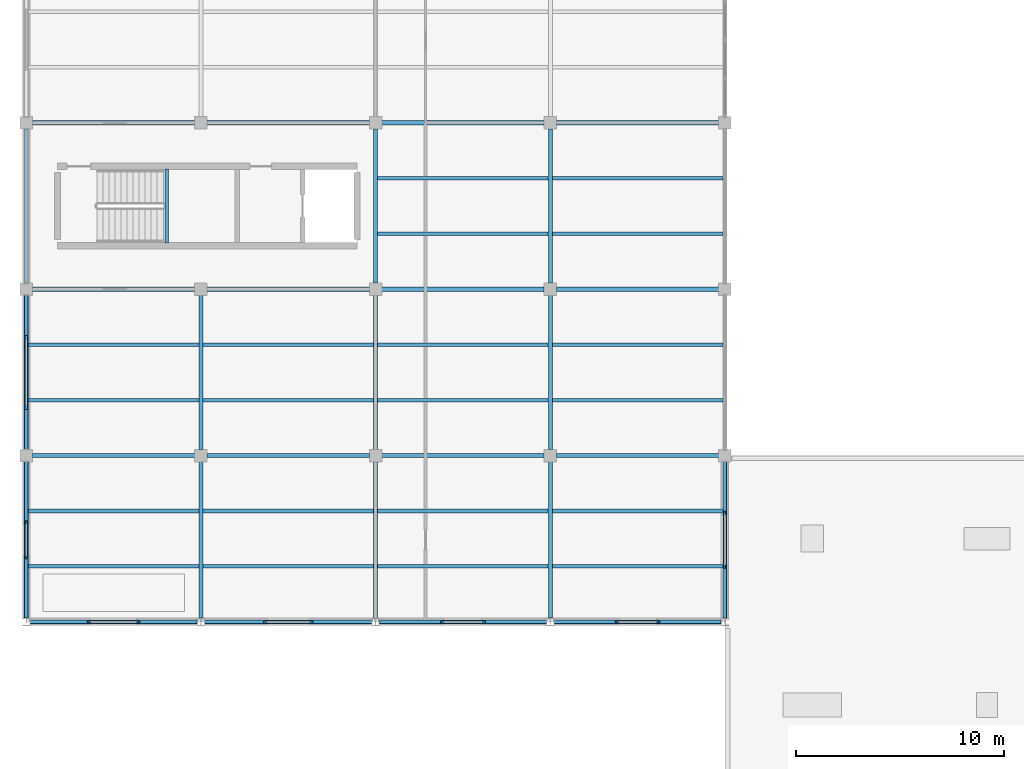
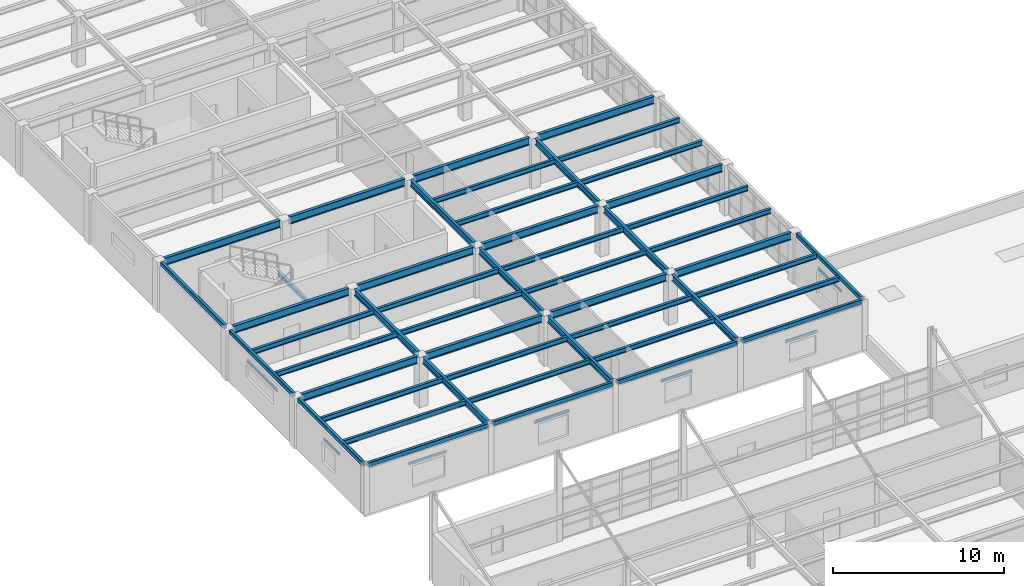
# One storey, part 17 of 96: 56 beams.
"""IFC4 building model written with IfcOpenShell, lengths in metres."""

from ifc_helpers import new_model, si_unit, direction, frame, origin, origin_2d, place, context, subcontext, project, spatial, hollow_rectangle, i_section, u_section, extrude, material, material_profile, profile_set, type_object, element, save


model = new_model("IFC4")

# Units and contexts
model_context = context("Model", 3, precision=1e-05, world=origin(), true_north=direction((0.0, 1.0)))
body_context = subcontext(model_context, "Body", "Model", "MODEL_VIEW")
ifc_project = project(units=[si_unit("LENGTHUNIT", "METRE"), si_unit("AREAUNIT", "SQUARE_METRE"), si_unit("VOLUMEUNIT", "CUBIC_METRE"), si_unit("PLANEANGLEUNIT", "RADIAN"), si_unit("MASSUNIT", "GRAM", prefix="KILO")], contexts=[model_context])

# Site, building, storey
site_placement = place(None, origin())
site = spatial("IfcSite", under=ifc_project, at=site_placement, CompositionType="ELEMENT")
building_placement = place(site_placement, origin())
building = spatial("IfcBuilding", under=site, at=building_placement, Name="Kranzveld Transit Interchange", CompositionType="ELEMENT")
storey_placement = place(building_placement, frame((0.0, 0.0, 9.52001953125)))
storey = spatial("IfcBuildingStorey", under=building, at=storey_placement, Name="L02", CompositionType="ELEMENT", Elevation=9.52001953125)

# Beams
ifc_material_1 = material(Name="Steel S355JR", Category="steel")
ifc_material_profile_1 = material_profile(ifc_material_1, i_section(OverallWidth=0.19189453125, OverallDepth=0.46337890625, WebThickness=0.010498046875, FlangeThickness=0.017578125, FilletRadius=0.01025390625, at=origin_2d()), Name="UB 457x191x89")
ifc_profile_set_1 = profile_set([ifc_material_profile_1], Name="Steel S355JR")
beam_type_1 = type_object("IfcBeamType", Name="Beam Steel UB 457x191x89 S355JR", PredefinedType="BEAM", material=ifc_profile_set_1)
beam_1_placement = place(storey_placement, frame((8.39990234375, 48.17724609375, 3.33837890625), z_axis=(0.0, 1.0, 0.0), x_axis=(-1.0, 0.0, 0.0)))
element("IfcBeam", 1, at=beam_1_placement, inside=storey, type_object=beam_type_1, Name="L02 Girder 02/G-H", PredefinedType="BEAM", context=body_context, shape_type="SweptSolid", body=[
    extrude(i_section(OverallWidth=0.19189453125, OverallDepth=0.46337890625, WebThickness=0.010498046875, FlangeThickness=0.017578125, FilletRadius=0.01025390625, at=origin_2d()), origin(), (0.0, 0.0, 1.0), 7.53271484375),
])
beam_2_placement = place(storey_placement, frame((8.39990234375, 56.2900390625, 3.33837890625), z_axis=(0.0, 1.0, 0.0), x_axis=(-1.0, 0.0, 0.0)))
element("IfcBeam", 2, at=beam_2_placement, inside=storey, type_object=beam_type_1, Name="L02 Girder 02/H-J", PredefinedType="BEAM", context=body_context, shape_type="SweptSolid", body=[
    extrude(i_section(OverallWidth=0.19189453125, OverallDepth=0.46337890625, WebThickness=0.010498046875, FlangeThickness=0.017578125, FilletRadius=0.01025390625, at=origin_2d()), origin(), (0.0, 0.0, 1.0), 7.419921875),
])
beam_3_placement = place(storey_placement, frame((16.800048828125, 48.17724609375, 3.33837890625), z_axis=(0.0, 1.0, 0.0), x_axis=(-1.0, 0.0, 0.0)))
element("IfcBeam", 3, at=beam_3_placement, inside=storey, type_object=beam_type_1, Name="L02 Girder 03/G-H", PredefinedType="BEAM", context=body_context, shape_type="SweptSolid", body=[
    extrude(i_section(OverallWidth=0.19189453125, OverallDepth=0.46337890625, WebThickness=0.010498046875, FlangeThickness=0.017578125, FilletRadius=0.01025390625, at=origin_2d()), origin(), (0.0, 0.0, 1.0), 7.53271484375),
])
for number, where, z_axis, x_axis, name in (
    (4, (16.800048828125, 56.2900390625, 3.33837890625), (0.0, 1.0, 0.0), (-1.0, 0.0, 0.0), "L02 Girder 03/H-J"),
    (5, (16.800048828125, 64.2900390625, 3.33837890625), (0.0, 1.0, 0.0), (-1.0, 0.0, 0.0), "L02 Girder 03/J-K"),
):
    element("IfcBeam", number, at=place(storey_placement, frame(where, z_axis=z_axis, x_axis=x_axis)), inside=storey, type_object=beam_type_1, Name=name, PredefinedType="BEAM", context=body_context, shape_type="SweptSolid", body=[
        extrude(i_section(OverallWidth=0.19189453125, OverallDepth=0.46337890625, WebThickness=0.010498046875, FlangeThickness=0.017578125, FilletRadius=0.01025390625, at=origin_2d()), origin(), (0.0, 0.0, 1.0), 7.419921875),
    ])
beam_4_placement = place(storey_placement, frame((25.199951171875, 48.17724609375, 3.33837890625), z_axis=(0.0, 1.0, 0.0), x_axis=(-1.0, 0.0, 0.0)))
element("IfcBeam", 6, at=beam_4_placement, inside=storey, type_object=beam_type_1, Name="L02 Girder 04/G-H", PredefinedType="BEAM", context=body_context, shape_type="SweptSolid", body=[
    extrude(i_section(OverallWidth=0.19189453125, OverallDepth=0.46337890625, WebThickness=0.010498046875, FlangeThickness=0.017578125, FilletRadius=0.01025390625, at=origin_2d()), origin(), (0.0, 0.0, 1.0), 7.53271484375),
])
for number, where, z_axis, x_axis, name in (
    (7, (25.199951171875, 56.2900390625, 3.33837890625), (0.0, 1.0, 0.0), (-1.0, 0.0, 0.0), "L02 Girder 04/H-J"),
    (8, (25.199951171875, 64.2900390625, 3.33837890625), (0.0, 1.0, 0.0), (-1.0, 0.0, 0.0), "L02 Girder 04/J-K"),
):
    element("IfcBeam", number, at=place(storey_placement, frame(where, z_axis=z_axis, x_axis=x_axis)), inside=storey, type_object=beam_type_1, Name=name, PredefinedType="BEAM", context=body_context, shape_type="SweptSolid", body=[
        extrude(i_section(OverallWidth=0.19189453125, OverallDepth=0.46337890625, WebThickness=0.010498046875, FlangeThickness=0.017578125, FilletRadius=0.01025390625, at=origin_2d()), origin(), (0.0, 0.0, 1.0), 7.419921875),
    ])
ifc_material_2 = material(Name="Steel S355JR", Category="steel")
ifc_material_profile_2 = material_profile(ifc_material_2, hollow_rectangle(XDim=0.199951171875, YDim=0.300048828125, WallThickness=0.010009765625, InnerFilletRadius=0.014892578125, OuterFilletRadius=0.02490234375, at=origin_2d()), Name="RHS 300x200x10")
ifc_profile_set_2 = profile_set([ifc_material_profile_2], Name="Steel S355JR")
beam_type_2 = type_object("IfcBeamType", Name="Edge Spandrel RHS 300x200x10 S355JR", PredefinedType="SPANDREL", material=ifc_profile_set_2)
for number, where, z_axis, x_axis, name in (
    (9, (0.17724609375, 48.0, 3.419921875), (1.0, 0.0, 0.0), (0.0, 1.0, 0.0), "L02 Girder 01-02/G"),
    (10, (8.577392578125, 48.0, 3.419921875), (1.0, 0.0, 0.0), (0.0, 1.0, 0.0), "L02 Girder 02-03/G"),
    (11, (16.977294921875, 48.0, 3.419921875), (1.0, 0.0, 0.0), (0.0, 1.0, 0.0), "L02 Girder 03-04/G"),
    (12, (25.377197265625, 48.0, 3.419921875), (1.0, 0.0, 0.0), (0.0, 1.0, 0.0), "L02 Girder 04-05/G"),
):
    element("IfcBeam", number, at=place(storey_placement, frame(where, z_axis=z_axis, x_axis=x_axis)), inside=storey, type_object=beam_type_2, Name=name, PredefinedType="SPANDREL", context=body_context, shape_type="SweptSolid", body=[
        extrude(hollow_rectangle(XDim=0.199951171875, YDim=0.300048828125, WallThickness=0.010009765625, InnerFilletRadius=0.014892578125, OuterFilletRadius=0.02490234375, at=origin_2d()), origin(), (0.0, 0.0, 1.0), 8.04541015625),
    ])
beam_5_placement = place(storey_placement, frame((0.0, 48.17724609375, 3.419921875), z_axis=(0.0, 1.0, 0.0), x_axis=(-1.0, 0.0, 0.0)))
element("IfcBeam", 13, at=beam_5_placement, inside=storey, type_object=beam_type_2, Name="L02 Girder 01/G-H", PredefinedType="SPANDREL", context=body_context, shape_type="SweptSolid", body=[
    extrude(hollow_rectangle(XDim=0.199951171875, YDim=0.300048828125, WallThickness=0.010009765625, InnerFilletRadius=0.014892578125, OuterFilletRadius=0.02490234375, at=origin_2d()), origin(), (0.0, 0.0, 1.0), 7.53271484375),
])
for number, where, z_axis, x_axis, name in (
    (14, (0.0, 56.2900390625, 3.419921875), (0.0, 1.0, 0.0), (-1.0, 0.0, 0.0), "L02 Girder 01/H-J"),
    (15, (0.0, 64.2900390625, 3.419921875), (0.0, 1.0, 0.0), (-1.0, 0.0, 0.0), "L02 Girder 01/J-K"),
):
    element("IfcBeam", number, at=place(storey_placement, frame(where, z_axis=z_axis, x_axis=x_axis)), inside=storey, type_object=beam_type_2, Name=name, PredefinedType="SPANDREL", context=body_context, shape_type="SweptSolid", body=[
        extrude(hollow_rectangle(XDim=0.199951171875, YDim=0.300048828125, WallThickness=0.010009765625, InnerFilletRadius=0.014892578125, OuterFilletRadius=0.02490234375, at=origin_2d()), origin(), (0.0, 0.0, 1.0), 7.419921875),
    ])
beam_6_placement = place(storey_placement, frame((33.60009765625, 48.17724609375, 3.419921875), z_axis=(0.0, 1.0, 0.0), x_axis=(-1.0, 0.0, 0.0)))
element("IfcBeam", 16, at=beam_6_placement, inside=storey, type_object=beam_type_2, Name="L02 Girder 05/G-H", PredefinedType="SPANDREL", context=body_context, shape_type="SweptSolid", body=[
    extrude(hollow_rectangle(XDim=0.199951171875, YDim=0.300048828125, WallThickness=0.010009765625, InnerFilletRadius=0.014892578125, OuterFilletRadius=0.02490234375, at=origin_2d()), origin(), (0.0, 0.0, 1.0), 7.53271484375),
])
ifc_material_3 = material(Name="Steel S355JR", Category="steel")
ifc_material_profile_3 = material_profile(ifc_material_3, i_section(OverallWidth=0.171142578125, OverallDepth=0.351318359375, WebThickness=0.007080078125, FlangeThickness=0.009765625, FilletRadius=0.01025390625, at=origin_2d()), Name="UB 356x171x45")
ifc_profile_set_3 = profile_set([ifc_material_profile_3], Name="Steel S355JR")
beam_type_3 = type_object("IfcBeamType", Name="Floor Joist UB 356x171x45 S355JR", PredefinedType="JOIST", material=ifc_profile_set_3)
for number, where, z_axis, x_axis, name in (
    (17, (0.10205078125, 50.666748046875, 3.394287109375), (1.0, 0.0, 0.0), (0.0, 1.0, 0.0), "L02 Secondary Joist 01-02/G.1"),
    (18, (0.10205078125, 53.333251953125, 3.394287109375), (1.0, 0.0, 0.0), (0.0, 1.0, 0.0), "L02 Secondary Joist 01-02/G.2"),
    (19, (0.10205078125, 58.666748046875, 3.394287109375), (1.0, 0.0, 0.0), (0.0, 1.0, 0.0), "L02 Secondary Joist 01-02/H.1"),
    (20, (0.10205078125, 61.333251953125, 3.394287109375), (1.0, 0.0, 0.0), (0.0, 1.0, 0.0), "L02 Secondary Joist 01-02/H.2"),
):
    element("IfcBeam", number, at=place(storey_placement, frame(where, z_axis=z_axis, x_axis=x_axis)), inside=storey, type_object=beam_type_3, Name=name, PredefinedType="JOIST", context=body_context, shape_type="SweptSolid", body=[
        extrude(i_section(OverallWidth=0.171142578125, OverallDepth=0.351318359375, WebThickness=0.007080078125, FlangeThickness=0.009765625, FilletRadius=0.01025390625, at=origin_2d()), origin(), (0.0, 0.0, 1.0), 8.199951171875),
    ])
for number, where, z_axis, x_axis, name in (
    (21, (8.498046875, 50.666748046875, 3.394287109375), (1.0, 0.0, 0.0), (0.0, 1.0, 0.0), "L02 Secondary Joist 02-03/G.1"),
    (22, (8.498046875, 53.333251953125, 3.394287109375), (1.0, 0.0, 0.0), (0.0, 1.0, 0.0), "L02 Secondary Joist 02-03/G.2"),
    (23, (8.498046875, 58.666748046875, 3.394287109375), (1.0, 0.0, 0.0), (0.0, 1.0, 0.0), "L02 Secondary Joist 02-03/H.1"),
    (24, (8.498046875, 61.333251953125, 3.394287109375), (1.0, 0.0, 0.0), (0.0, 1.0, 0.0), "L02 Secondary Joist 02-03/H.2"),
    (25, (16.89794921875, 50.666748046875, 3.394287109375), (1.0, 0.0, 0.0), (0.0, 1.0, 0.0), "L02 Secondary Joist 03-04/G.1"),
    (26, (16.89794921875, 53.333251953125, 3.394287109375), (1.0, 0.0, 0.0), (0.0, 1.0, 0.0), "L02 Secondary Joist 03-04/G.2"),
    (27, (16.89794921875, 58.666748046875, 3.394287109375), (1.0, 0.0, 0.0), (0.0, 1.0, 0.0), "L02 Secondary Joist 03-04/H.1"),
    (28, (16.89794921875, 61.333251953125, 3.394287109375), (1.0, 0.0, 0.0), (0.0, 1.0, 0.0), "L02 Secondary Joist 03-04/H.2"),
    (29, (16.89794921875, 66.666748046875, 3.394287109375), (1.0, 0.0, 0.0), (0.0, 1.0, 0.0), "L02 Secondary Joist 03-04/J.1"),
    (30, (16.89794921875, 69.333251953125, 3.394287109375), (1.0, 0.0, 0.0), (0.0, 1.0, 0.0), "L02 Secondary Joist 03-04/J.2"),
):
    element("IfcBeam", number, at=place(storey_placement, frame(where, z_axis=z_axis, x_axis=x_axis)), inside=storey, type_object=beam_type_3, Name=name, PredefinedType="JOIST", context=body_context, shape_type="SweptSolid", body=[
        extrude(i_section(OverallWidth=0.171142578125, OverallDepth=0.351318359375, WebThickness=0.007080078125, FlangeThickness=0.009765625, FilletRadius=0.01025390625, at=origin_2d()), origin(), (0.0, 0.0, 1.0), 8.2041015625),
    ])
for number, where, z_axis, x_axis, name in (
    (31, (25.2978515625, 50.666748046875, 3.394287109375), (1.0, 0.0, 0.0), (0.0, 1.0, 0.0), "L02 Secondary Joist 04-05/G.1"),
    (32, (25.2978515625, 53.333251953125, 3.394287109375), (1.0, 0.0, 0.0), (0.0, 1.0, 0.0), "L02 Secondary Joist 04-05/G.2"),
    (33, (25.2978515625, 58.666748046875, 3.394287109375), (1.0, 0.0, 0.0), (0.0, 1.0, 0.0), "L02 Secondary Joist 04-05/H.1"),
    (34, (25.2978515625, 61.333251953125, 3.394287109375), (1.0, 0.0, 0.0), (0.0, 1.0, 0.0), "L02 Secondary Joist 04-05/H.2"),
    (35, (25.2978515625, 66.666748046875, 3.394287109375), (1.0, 0.0, 0.0), (0.0, 1.0, 0.0), "L02 Secondary Joist 04-05/J.1"),
    (36, (25.2978515625, 69.333251953125, 3.394287109375), (1.0, 0.0, 0.0), (0.0, 1.0, 0.0), "L02 Secondary Joist 04-05/J.2"),
):
    element("IfcBeam", number, at=place(storey_placement, frame(where, z_axis=z_axis, x_axis=x_axis)), inside=storey, type_object=beam_type_3, Name=name, PredefinedType="JOIST", context=body_context, shape_type="SweptSolid", body=[
        extrude(i_section(OverallWidth=0.171142578125, OverallDepth=0.351318359375, WebThickness=0.007080078125, FlangeThickness=0.009765625, FilletRadius=0.01025390625, at=origin_2d()), origin(), (0.0, 0.0, 1.0), 8.2001953125),
    ])
ifc_material_4 = material(Name="Steel S355JR", Category="steel")
ifc_material_profile_4 = material_profile(ifc_material_4, i_section(OverallWidth=0.209228515625, OverallDepth=0.533203125, WebThickness=0.010009765625, FlangeThickness=0.015625, FilletRadius=0.0126953125, at=origin_2d()), Name="UB 533x210x92")
ifc_profile_set_4 = profile_set([ifc_material_profile_4], Name="Steel S355JR")
beam_type_4 = type_object("IfcBeamType", Name="Girder Steel UB 533x210x92 S355JR", PredefinedType="BEAM", material=ifc_profile_set_4)
for number, where, z_axis, x_axis, name in (
    (37, (0.2900390625, 56.0, 3.303466796875), (1.0, 0.0, 0.0), (0.0, 1.0, 0.0), "L02 Girder 01-02/H"),
    (38, (8.68994140625, 56.0, 3.303466796875), (1.0, 0.0, 0.0), (0.0, 1.0, 0.0), "L02 Girder 02-03/H"),
):
    element("IfcBeam", number, at=place(storey_placement, frame(where, z_axis=z_axis, x_axis=x_axis)), inside=storey, type_object=beam_type_4, Name=name, PredefinedType="BEAM", context=body_context, shape_type="SweptSolid", body=[
        extrude(i_section(OverallWidth=0.209228515625, OverallDepth=0.533203125, WebThickness=0.010009765625, FlangeThickness=0.015625, FilletRadius=0.0126953125, at=origin_2d()), origin(), (0.0, 0.0, 1.0), 7.820068359375),
    ])
beam_7_placement = place(storey_placement, frame((17.090087890625, 56.0, 3.303466796875), z_axis=(1.0, 0.0, 0.0), x_axis=(0.0, 1.0, 0.0)))
element("IfcBeam", 39, at=beam_7_placement, inside=storey, type_object=beam_type_4, Name="L02 Girder 03-04/H", PredefinedType="BEAM", context=body_context, shape_type="SweptSolid", body=[
    extrude(i_section(OverallWidth=0.209228515625, OverallDepth=0.533203125, WebThickness=0.010009765625, FlangeThickness=0.015625, FilletRadius=0.0126953125, at=origin_2d()), origin(), (0.0, 0.0, 1.0), 7.81982421875),
])
for number, where, z_axis, x_axis, name in (
    (40, (25.489990234375, 56.0, 3.303466796875), (1.0, 0.0, 0.0), (0.0, 1.0, 0.0), "L02 Girder 04-05/H"),
    (41, (0.2900390625, 64.0, 3.303466796875), (1.0, 0.0, 0.0), (0.0, 1.0, 0.0), "L02 Girder 01-02/J"),
    (42, (8.68994140625, 64.0, 3.303466796875), (1.0, 0.0, 0.0), (0.0, 1.0, 0.0), "L02 Girder 02-03/J"),
):
    element("IfcBeam", number, at=place(storey_placement, frame(where, z_axis=z_axis, x_axis=x_axis)), inside=storey, type_object=beam_type_4, Name=name, PredefinedType="BEAM", context=body_context, shape_type="SweptSolid", body=[
        extrude(i_section(OverallWidth=0.209228515625, OverallDepth=0.533203125, WebThickness=0.010009765625, FlangeThickness=0.015625, FilletRadius=0.0126953125, at=origin_2d()), origin(), (0.0, 0.0, 1.0), 7.820068359375),
    ])
beam_8_placement = place(storey_placement, frame((17.090087890625, 64.0, 3.303466796875), z_axis=(1.0, 0.0, 0.0), x_axis=(0.0, 1.0, 0.0)))
element("IfcBeam", 43, at=beam_8_placement, inside=storey, type_object=beam_type_4, Name="L02 Girder 03-04/J", PredefinedType="BEAM", context=body_context, shape_type="SweptSolid", body=[
    extrude(i_section(OverallWidth=0.209228515625, OverallDepth=0.533203125, WebThickness=0.010009765625, FlangeThickness=0.015625, FilletRadius=0.0126953125, at=origin_2d()), origin(), (0.0, 0.0, 1.0), 7.81982421875),
])
for number, where, z_axis, x_axis, name in (
    (44, (25.489990234375, 64.0, 3.303466796875), (1.0, 0.0, 0.0), (0.0, 1.0, 0.0), "L02 Girder 04-05/J"),
    (45, (0.2900390625, 72.0, 3.303466796875), (1.0, 0.0, 0.0), (0.0, 1.0, 0.0), "L02 Girder 01-02/K"),
    (46, (8.68994140625, 72.0, 3.303466796875), (1.0, 0.0, 0.0), (0.0, 1.0, 0.0), "L02 Girder 02-03/K"),
):
    element("IfcBeam", number, at=place(storey_placement, frame(where, z_axis=z_axis, x_axis=x_axis)), inside=storey, type_object=beam_type_4, Name=name, PredefinedType="BEAM", context=body_context, shape_type="SweptSolid", body=[
        extrude(i_section(OverallWidth=0.209228515625, OverallDepth=0.533203125, WebThickness=0.010009765625, FlangeThickness=0.015625, FilletRadius=0.0126953125, at=origin_2d()), origin(), (0.0, 0.0, 1.0), 7.820068359375),
    ])
beam_9_placement = place(storey_placement, frame((17.090087890625, 72.0, 3.303466796875), z_axis=(1.0, 0.0, 0.0), x_axis=(0.0, 1.0, 0.0)))
element("IfcBeam", 47, at=beam_9_placement, inside=storey, type_object=beam_type_4, Name="L02 Girder 03-04/K", PredefinedType="BEAM", context=body_context, shape_type="SweptSolid", body=[
    extrude(i_section(OverallWidth=0.209228515625, OverallDepth=0.533203125, WebThickness=0.010009765625, FlangeThickness=0.015625, FilletRadius=0.0126953125, at=origin_2d()), origin(), (0.0, 0.0, 1.0), 7.81982421875),
])
beam_10_placement = place(storey_placement, frame((25.489990234375, 72.0, 3.303466796875), z_axis=(1.0, 0.0, 0.0), x_axis=(0.0, 1.0, 0.0)))
element("IfcBeam", 48, at=beam_10_placement, inside=storey, type_object=beam_type_4, Name="L02 Girder 04-05/K", PredefinedType="BEAM", context=body_context, shape_type="SweptSolid", body=[
    extrude(i_section(OverallWidth=0.209228515625, OverallDepth=0.533203125, WebThickness=0.010009765625, FlangeThickness=0.015625, FilletRadius=0.0126953125, at=origin_2d()), origin(), (0.0, 0.0, 1.0), 7.820068359375),
])
ifc_material_5 = material(Name="Steel S355JR", Category="steel")
ifc_material_profile_5 = material_profile(ifc_material_5, u_section(Depth=0.179931640625, FlangeWidth=0.070068359375, WebThickness=0.007080078125, FlangeThickness=0.010986328125, FilletRadius=0.010009765625, at=origin_2d()), Name="PFC 180x70x22")
ifc_profile_set_5 = profile_set([ifc_material_profile_5], Name="Steel S355JR")
beam_type_5 = type_object("IfcBeamType", Name="Masonry Lintel PFC 180x70x22 S355JR", PredefinedType="LINTEL", material=ifc_profile_set_5)
beam_11_placement = place(storey_placement, frame((2.919921875, 48.0, 2.494873046875), z_axis=(1.0, 0.0, 0.0), x_axis=(0.0, 1.0, 0.0)))
element("IfcBeam", 49, at=beam_11_placement, inside=storey, type_object=beam_type_5, Name="L02 Window Lintel 149", PredefinedType="LINTEL", context=body_context, shape_type="SweptSolid", body=[
    extrude(u_section(Depth=0.179931640625, FlangeWidth=0.070068359375, WebThickness=0.007080078125, FlangeThickness=0.010986328125, FilletRadius=0.010009765625, at=origin_2d()), origin(), (0.0, 0.0, 1.0), 2.56005859375),
])
beam_12_placement = place(storey_placement, frame((0.0, 51.013671875, 2.39501953125), z_axis=(0.0, 1.0, 0.0), x_axis=(-1.0, 0.0, 0.0)))
element("IfcBeam", 50, at=beam_12_placement, inside=storey, type_object=beam_type_5, Name="L02 Window Lintel 153", PredefinedType="LINTEL", context=body_context, shape_type="SweptSolid", body=[
    extrude(u_section(Depth=0.179931640625, FlangeWidth=0.070068359375, WebThickness=0.007080078125, FlangeThickness=0.010986328125, FilletRadius=0.010009765625, at=origin_2d()), origin(), (0.0, 0.0, 1.0), 1.860107421875),
])
ifc_material_6 = material(Name="Steel S355JR", Category="steel")
ifc_material_profile_6 = material_profile(ifc_material_6, u_section(Depth=0.199951171875, FlangeWidth=0.074951171875, WebThickness=0.006103515625, FlangeThickness=0.012451171875, FilletRadius=0.011962890625, at=origin_2d()), Name="PFC 200x75x23")
ifc_profile_set_6 = profile_set([ifc_material_profile_6], Name="Steel S355JR")
beam_type_6 = type_object("IfcBeamType", Name="Masonry Lintel PFC 200x75x23 S355JR", PredefinedType="LINTEL", material=ifc_profile_set_6)
beam_13_placement = place(storey_placement, frame((33.60009765625, 50.563720703125, 2.5048828125), z_axis=(0.0, 1.0, 0.0), x_axis=(-1.0, 0.0, 0.0)))
element("IfcBeam", 51, at=beam_13_placement, inside=storey, type_object=beam_type_6, Name="L02 Window Lintel 148", PredefinedType="LINTEL", context=body_context, shape_type="SweptSolid", body=[
    extrude(u_section(Depth=0.199951171875, FlangeWidth=0.074951171875, WebThickness=0.006103515625, FlangeThickness=0.012451171875, FilletRadius=0.011962890625, at=origin_2d()), origin(), (0.0, 0.0, 1.0), 2.760009765625),
])
beam_14_placement = place(storey_placement, frame((28.320068359375, 48.0, 2.304931640625), z_axis=(1.0, 0.0, 0.0), x_axis=(0.0, 1.0, 0.0)))
element("IfcBeam", 52, at=beam_14_placement, inside=storey, type_object=beam_type_6, Name="L02 Window Lintel 152", PredefinedType="LINTEL", context=body_context, shape_type="SweptSolid", body=[
    extrude(u_section(Depth=0.199951171875, FlangeWidth=0.074951171875, WebThickness=0.006103515625, FlangeThickness=0.012451171875, FilletRadius=0.011962890625, at=origin_2d()), origin(), (0.0, 0.0, 1.0), 2.159912109375),
])
ifc_material_7 = material(Name="Steel S355JR", Category="steel")
ifc_material_profile_7 = material_profile(ifc_material_7, i_section(OverallWidth=0.091064453125, OverallDepth=0.179931640625, WebThickness=0.00537109375, FlangeThickness=0.008056640625, FilletRadius=0.009033203125, at=origin_2d()), Name="IPE 180")
ifc_profile_set_7 = profile_set([ifc_material_profile_7], Name="Steel S355JR")
beam_type_7 = type_object("IfcBeamType", Name="Opening Lintel IPE 180 S355JR", PredefinedType="LINTEL", material=ifc_profile_set_7)
beam_15_placement = place(storey_placement, frame((19.919921875, 48.0, 2.445068359375), z_axis=(1.0, 0.0, 0.0), x_axis=(0.0, 1.0, 0.0)))
element("IfcBeam", 53, at=beam_15_placement, inside=storey, type_object=beam_type_7, Name="L02 Window Lintel 151", PredefinedType="LINTEL", context=body_context, shape_type="SweptSolid", body=[
    extrude(i_section(OverallWidth=0.091064453125, OverallDepth=0.179931640625, WebThickness=0.00537109375, FlangeThickness=0.008056640625, FilletRadius=0.009033203125, at=origin_2d()), origin(), (0.0, 0.0, 1.0), 2.16015625),
])
ifc_material_8 = material(Name="Steel S355JR", Category="steel")
ifc_material_profile_8 = material_profile(ifc_material_8, i_section(OverallWidth=0.10009765625, OverallDepth=0.199951171875, WebThickness=0.005615234375, FlangeThickness=0.008544921875, FilletRadius=0.011962890625, at=origin_2d()), Name="IPE 200")
ifc_profile_set_8 = profile_set([ifc_material_profile_8], Name="Steel S355JR")
beam_type_8 = type_object("IfcBeamType", Name="Opening Lintel IPE 200 S355JR", PredefinedType="LINTEL", material=ifc_profile_set_8)
beam_16_placement = place(storey_placement, frame((11.419921875, 48.0, 2.5048828125), z_axis=(1.0, 0.0, 0.0), x_axis=(0.0, 1.0, 0.0)))
element("IfcBeam", 54, at=beam_16_placement, inside=storey, type_object=beam_type_8, Name="L02 Window Lintel 150", PredefinedType="LINTEL", context=body_context, shape_type="SweptSolid", body=[
    extrude(i_section(OverallWidth=0.10009765625, OverallDepth=0.199951171875, WebThickness=0.005615234375, FlangeThickness=0.008544921875, FilletRadius=0.011962890625, at=origin_2d()), origin(), (0.0, 0.0, 1.0), 2.360107421875),
])
beam_17_placement = place(storey_placement, frame((0.0, 58.219970703125, 2.554931640625), z_axis=(0.0, 1.0, 0.0), x_axis=(-1.0, 0.0, 0.0)))
element("IfcBeam", 55, at=beam_17_placement, inside=storey, type_object=beam_type_8, Name="L02 Window Lintel 154", PredefinedType="LINTEL", context=body_context, shape_type="SweptSolid", body=[
    extrude(i_section(OverallWidth=0.10009765625, OverallDepth=0.199951171875, WebThickness=0.005615234375, FlangeThickness=0.008544921875, FilletRadius=0.011962890625, at=origin_2d()), origin(), (0.0, 0.0, 1.0), 3.56005859375),
])
ifc_material_9 = material(Name="Steel S355JR", Category="steel")
ifc_material_profile_9 = material_profile(ifc_material_9, i_section(OverallWidth=0.165771484375, OverallDepth=0.306640625, WebThickness=0.006591796875, FlangeThickness=0.01171875, FilletRadius=0.0087890625, at=origin_2d()), Name="UB 305x165x46")
ifc_profile_set_9 = profile_set([ifc_material_profile_9], Name="Steel S355JR")
beam_type_9 = type_object("IfcBeamType", Name="Roof Joist UB 305x165x46 S355JR", PredefinedType="JOIST", material=ifc_profile_set_9)
beam_18_placement = place(storey_placement, frame((6.75, 66.22998046875, 1.566650390625), z_axis=(0.0, 1.0, 0.0), x_axis=(-1.0, 0.0, 0.0)))
element("IfcBeam", 56, at=beam_18_placement, inside=storey, type_object=beam_type_9, Name="L02 ST-C1 Half-Landing Support Beam", PredefinedType="BEAM", context=body_context, shape_type="SweptSolid", body=[
    extrude(i_section(OverallWidth=0.165771484375, OverallDepth=0.306640625, WebThickness=0.006591796875, FlangeThickness=0.01171875, FilletRadius=0.0087890625, at=origin_2d()), origin(), (0.0, 0.0, 1.0), 3.5400390625),
])

save(model, "model.ifc")
